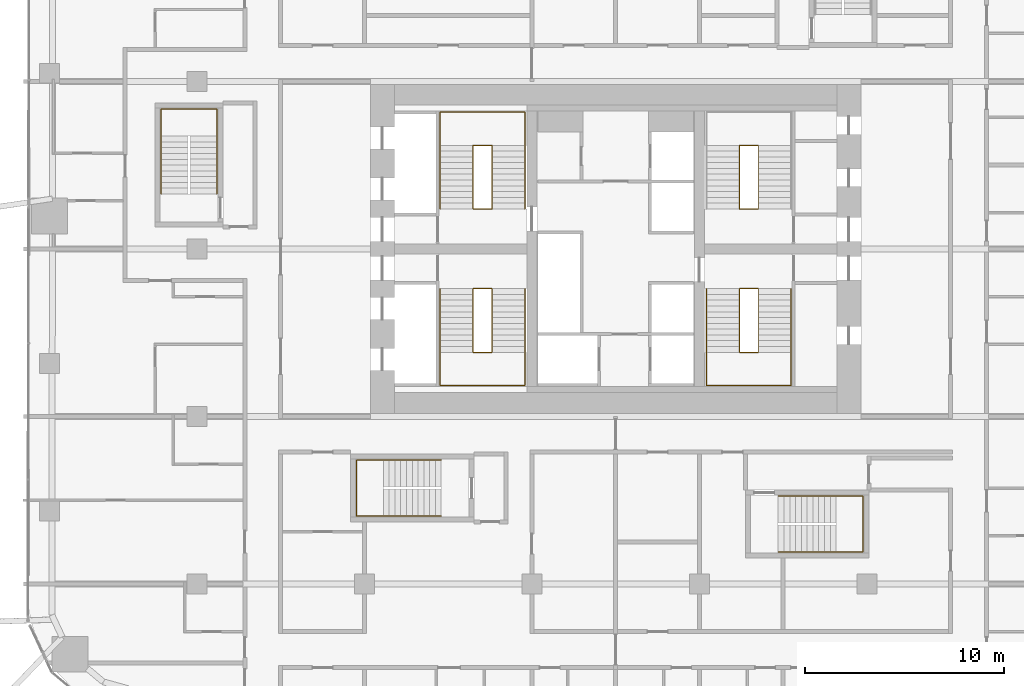
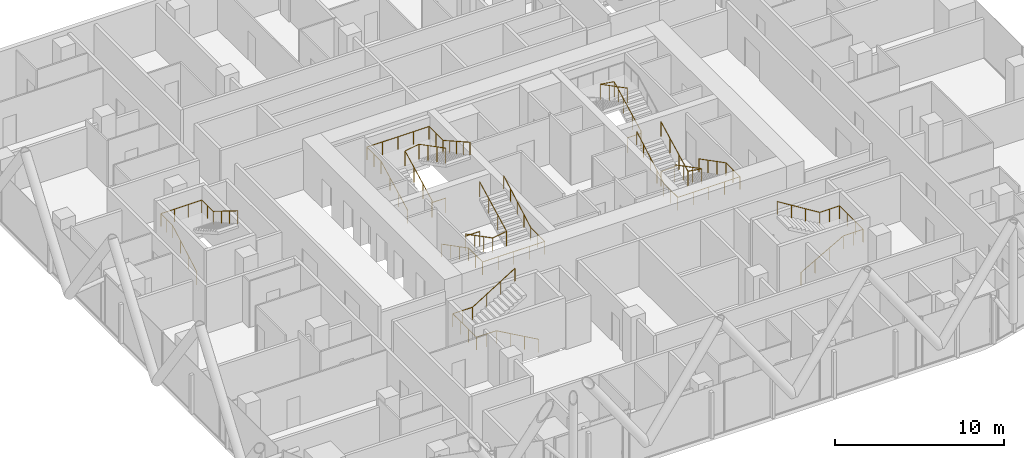
# One storey, part 37 of 38: 10 railings.
"""IFC4 building model written with IfcOpenShell, lengths in metres."""

from ifc_helpers import new_model, si_unit, direction, frame, origin, origin_2d, place, context, subcontext, project, spatial, circle, extrude, material, type_object, element, save


model = new_model("IFC4")

# Units and contexts
model_context = context("Model", 3, precision=1e-05, world=origin(), true_north=direction((0.0, 1.0)))
body_context = subcontext(model_context, "Body", "Model", "MODEL_VIEW")
ifc_project = project(units=[si_unit("LENGTHUNIT", "METRE"), si_unit("AREAUNIT", "SQUARE_METRE"), si_unit("VOLUMEUNIT", "CUBIC_METRE"), si_unit("PLANEANGLEUNIT", "RADIAN"), si_unit("MASSUNIT", "GRAM", prefix="KILO")], contexts=[model_context])

# Site, building, storey
site_placement = place(None, origin())
site = spatial("IfcSite", under=ifc_project, at=site_placement, CompositionType="ELEMENT")
building_placement = place(site_placement, origin())
building = spatial("IfcBuilding", under=site, at=building_placement, Name="Marenta Gate Hotel Tower", CompositionType="ELEMENT")
storey_placement = place(building_placement, frame((0.0, 0.0, 68.89990234375)))
storey = spatial("IfcBuildingStorey", under=building, at=storey_placement, Name="L15", CompositionType="ELEMENT", Elevation=68.89990234375)

# Railings
ifc_material_1 = material(Name="Stainless steel", Category="steel")
railing_type_1 = type_object("IfcRailingType", Name="Core stair handrail 950", PredefinedType="HANDRAIL", material=ifc_material_1)
railing_1_placement = place(storey_placement, frame((-8.800048828125, 6.39990234375, 0.150146484375)))
element("IfcRailing", 1, at=railing_1_placement, inside=storey, type_object=railing_type_1, Name="HR-950 L15-KR-ST1-1", PredefinedType="HANDRAIL", context=body_context, shape_type="SweptSolid", body=[
    extrude(circle(Radius=0.02392578125, at=origin_2d()), frame((0.0, 0.0, 0.92578125), z_axis=(0.0, -0.888225295554, 0.459408123936), x_axis=(1.0, 0.0, 0.0)), (0.0, 0.0, 1.0), 3.59130859375),
    extrude(circle(Radius=0.02392578125, at=origin_2d()), frame((0.0, -3.18994140625, 2.57568359375), z_axis=(0.0, -1.0, 0.0), x_axis=(1.0, 0.0, 0.0)), (0.0, 0.0, 1.0), 1.659912109375),
    extrude(circle(Radius=0.02392578125, at=origin_2d()), frame((0.0, -4.849853515625, 2.57568359375), z_axis=(1.0, 0.0, 0.0), x_axis=(0.0, 1.0, 0.0)), (0.0, 0.0, 1.0), 4.25),
    extrude(circle(Radius=0.02392578125, at=origin_2d()), frame((4.25, -4.849853515625, 2.57568359375), z_axis=(0.0, 1.0, 0.0), x_axis=(-1.0, 0.0, 0.0)), (0.0, 0.0, 1.0), 1.659912109375),
    extrude(circle(Radius=0.02392578125, at=origin_2d()), frame((4.25, -3.18994140625, 2.57568359375), z_axis=(0.0, 0.87090897868, 0.491444351738), x_axis=(-1.0, 0.0, 0.0)), (0.0, 0.0, 1.0), 3.662841796875),
    extrude(circle(Radius=0.02099609375, at=origin_2d()), origin(), (0.0, 0.0, 1.0), 0.90185546875),
    extrude(circle(Radius=0.02099609375, at=origin_2d()), frame((0.0, -1.063232421875, 0.550048828125)), (0.0, 0.0, 1.0), 0.90185546875),
    extrude(circle(Radius=0.02099609375, at=origin_2d()), frame((0.0, -2.126708984375, 1.099853515625)), (0.0, 0.0, 1.0), 0.90185546875),
    extrude(circle(Radius=0.02099609375, at=origin_2d()), frame((0.0, -3.18994140625, 1.64990234375)), (0.0, 0.0, 1.0), 0.90185546875),
    extrude(circle(Radius=0.02099609375, at=origin_2d()), frame((0.0, -4.02001953125, 1.64990234375)), (0.0, 0.0, 1.0), 0.90185546875),
    extrude(circle(Radius=0.02099609375, at=origin_2d()), frame((0.0, -4.849853515625, 1.64990234375)), (0.0, 0.0, 1.0), 0.90185546875),
    extrude(circle(Radius=0.02099609375, at=origin_2d()), frame((1.0625, -4.849853515625, 1.64990234375)), (0.0, 0.0, 1.0), 0.90185546875),
    extrude(circle(Radius=0.02099609375, at=origin_2d()), frame((2.125, -4.849853515625, 1.64990234375)), (0.0, 0.0, 1.0), 0.90185546875),
    extrude(circle(Radius=0.02099609375, at=origin_2d()), frame((3.1875, -4.849853515625, 1.64990234375)), (0.0, 0.0, 1.0), 0.90185546875),
    extrude(circle(Radius=0.02099609375, at=origin_2d()), frame((4.25, -4.849853515625, 1.64990234375)), (0.0, 0.0, 1.0), 0.90185546875),
    extrude(circle(Radius=0.02099609375, at=origin_2d()), frame((4.25, -4.02001953125, 1.64990234375)), (0.0, 0.0, 1.0), 0.90185546875),
    extrude(circle(Radius=0.02099609375, at=origin_2d()), frame((4.25, -3.18994140625, 1.64990234375)), (0.0, 0.0, 1.0), 0.90185546875),
    extrude(circle(Radius=0.02099609375, at=origin_2d()), frame((4.25, -2.392578125, 2.099853515625)), (0.0, 0.0, 1.0), 0.90185546875),
    extrude(circle(Radius=0.02099609375, at=origin_2d()), frame((4.25, -1.594970703125, 2.5498046875)), (0.0, 0.0, 1.0), 0.90185546875),
    extrude(circle(Radius=0.02099609375, at=origin_2d()), frame((4.25, -0.79736328125, 3.0)), (0.0, 0.0, 1.0), 0.90185546875),
    extrude(circle(Radius=0.02099609375, at=origin_2d()), frame((4.25, 0.0, 3.449951171875)), (0.0, 0.0, 1.0), 0.90185546875),
])
railing_2_placement = place(storey_placement, frame((-8.800048828125, 10.39990234375, 0.150146484375)))
element("IfcRailing", 2, at=railing_2_placement, inside=storey, type_object=railing_type_1, Name="HR-950 L15-KR-ST2-1", PredefinedType="HANDRAIL", context=body_context, shape_type="SweptSolid", body=[
    extrude(circle(Radius=0.02392578125, at=origin_2d()), frame((0.0, 0.0, 0.92578125), z_axis=(0.0, 0.888239641807, 0.459380385653), x_axis=(-1.0, 0.0, 0.0)), (0.0, 0.0, 1.0), 3.591552734375),
    extrude(circle(Radius=0.02392578125, at=origin_2d()), frame((0.0, 3.190185546875, 2.57568359375), z_axis=(0.0, 1.0, 0.0), x_axis=(-1.0, 0.0, 0.0)), (0.0, 0.0, 1.0), 1.659912109375),
    extrude(circle(Radius=0.02392578125, at=origin_2d()), frame((0.0, 4.85009765625, 2.57568359375), z_axis=(1.0, 0.0, 0.0), x_axis=(0.0, 1.0, 0.0)), (0.0, 0.0, 1.0), 4.25),
    extrude(circle(Radius=0.02392578125, at=origin_2d()), frame((4.25, 4.85009765625, 2.57568359375), z_axis=(0.0, -1.0, 0.0), x_axis=(1.0, 0.0, 0.0)), (0.0, 0.0, 1.0), 1.659912109375),
    extrude(circle(Radius=0.02392578125, at=origin_2d()), frame((4.25, 3.190185546875, 2.57568359375), z_axis=(0.0, -0.870925075533, 0.491415824742), x_axis=(1.0, 0.0, 0.0)), (0.0, 0.0, 1.0), 3.6630859375),
    extrude(circle(Radius=0.02099609375, at=origin_2d()), origin(), (0.0, 0.0, 1.0), 0.90185546875),
    extrude(circle(Radius=0.02099609375, at=origin_2d()), frame((0.0, 1.0634765625, 0.550048828125)), (0.0, 0.0, 1.0), 0.90185546875),
    extrude(circle(Radius=0.02099609375, at=origin_2d()), frame((0.0, 2.126708984375, 1.099853515625)), (0.0, 0.0, 1.0), 0.90185546875),
    extrude(circle(Radius=0.02099609375, at=origin_2d()), frame((0.0, 3.190185546875, 1.64990234375)), (0.0, 0.0, 1.0), 0.90185546875),
    extrude(circle(Radius=0.02099609375, at=origin_2d()), frame((0.0, 4.02001953125, 1.64990234375)), (0.0, 0.0, 1.0), 0.90185546875),
    extrude(circle(Radius=0.02099609375, at=origin_2d()), frame((0.0, 4.85009765625, 1.64990234375)), (0.0, 0.0, 1.0), 0.90185546875),
    extrude(circle(Radius=0.02099609375, at=origin_2d()), frame((1.0625, 4.85009765625, 1.64990234375)), (0.0, 0.0, 1.0), 0.90185546875),
    extrude(circle(Radius=0.02099609375, at=origin_2d()), frame((2.125, 4.85009765625, 1.64990234375)), (0.0, 0.0, 1.0), 0.90185546875),
    extrude(circle(Radius=0.02099609375, at=origin_2d()), frame((3.1875, 4.85009765625, 1.64990234375)), (0.0, 0.0, 1.0), 0.90185546875),
    extrude(circle(Radius=0.02099609375, at=origin_2d()), frame((4.25, 4.85009765625, 1.64990234375)), (0.0, 0.0, 1.0), 0.90185546875),
    extrude(circle(Radius=0.02099609375, at=origin_2d()), frame((4.25, 4.02001953125, 1.64990234375)), (0.0, 0.0, 1.0), 0.90185546875),
    extrude(circle(Radius=0.02099609375, at=origin_2d()), frame((4.25, 3.190185546875, 1.64990234375)), (0.0, 0.0, 1.0), 0.90185546875),
    extrude(circle(Radius=0.02099609375, at=origin_2d()), frame((4.25, 2.392578125, 2.099853515625)), (0.0, 0.0, 1.0), 0.90185546875),
    extrude(circle(Radius=0.02099609375, at=origin_2d()), frame((4.25, 1.59521484375, 2.5498046875)), (0.0, 0.0, 1.0), 0.90185546875),
    extrude(circle(Radius=0.02099609375, at=origin_2d()), frame((4.25, 0.797607421875, 3.0)), (0.0, 0.0, 1.0), 0.90185546875),
    extrude(circle(Radius=0.02099609375, at=origin_2d()), frame((4.25, 0.0, 3.449951171875)), (0.0, 0.0, 1.0), 0.90185546875),
])
railing_3_placement = place(storey_placement, frame((8.800048828125, 6.39990234375, 0.150146484375)))
element("IfcRailing", 3, at=railing_3_placement, inside=storey, type_object=railing_type_1, Name="HR-950 L15-KR-ST3-1", PredefinedType="HANDRAIL", context=body_context, shape_type="SweptSolid", body=[
    extrude(circle(Radius=0.02392578125, at=origin_2d()), frame((0.0, 0.0, 0.92578125), z_axis=(0.0, -0.888225295554, 0.459408123936), x_axis=(1.0, 0.0, 0.0)), (0.0, 0.0, 1.0), 3.59130859375),
    extrude(circle(Radius=0.02392578125, at=origin_2d()), frame((0.0, -3.18994140625, 2.57568359375), z_axis=(0.0, -1.0, 0.0), x_axis=(1.0, 0.0, 0.0)), (0.0, 0.0, 1.0), 1.659912109375),
    extrude(circle(Radius=0.02392578125, at=origin_2d()), frame((0.0, -4.849853515625, 2.57568359375), z_axis=(-1.0, 0.0, 0.0), x_axis=(0.0, -1.0, 0.0)), (0.0, 0.0, 1.0), 4.25),
    extrude(circle(Radius=0.02392578125, at=origin_2d()), frame((-4.25, -4.849853515625, 2.57568359375), z_axis=(0.0, 1.0, 0.0), x_axis=(-1.0, 0.0, 0.0)), (0.0, 0.0, 1.0), 1.659912109375),
    extrude(circle(Radius=0.02392578125, at=origin_2d()), frame((-4.25, -3.18994140625, 2.57568359375), z_axis=(0.0, 0.87090897868, 0.491444351738), x_axis=(-1.0, 0.0, 0.0)), (0.0, 0.0, 1.0), 3.662841796875),
    extrude(circle(Radius=0.02099609375, at=origin_2d()), origin(), (0.0, 0.0, 1.0), 0.90185546875),
    extrude(circle(Radius=0.02099609375, at=origin_2d()), frame((0.0, -1.063232421875, 0.550048828125)), (0.0, 0.0, 1.0), 0.90185546875),
    extrude(circle(Radius=0.02099609375, at=origin_2d()), frame((0.0, -2.126708984375, 1.099853515625)), (0.0, 0.0, 1.0), 0.90185546875),
    extrude(circle(Radius=0.02099609375, at=origin_2d()), frame((0.0, -3.18994140625, 1.64990234375)), (0.0, 0.0, 1.0), 0.90185546875),
    extrude(circle(Radius=0.02099609375, at=origin_2d()), frame((0.0, -4.02001953125, 1.64990234375)), (0.0, 0.0, 1.0), 0.90185546875),
    extrude(circle(Radius=0.02099609375, at=origin_2d()), frame((0.0, -4.849853515625, 1.64990234375)), (0.0, 0.0, 1.0), 0.90185546875),
    extrude(circle(Radius=0.02099609375, at=origin_2d()), frame((-1.0625, -4.849853515625, 1.64990234375)), (0.0, 0.0, 1.0), 0.90185546875),
    extrude(circle(Radius=0.02099609375, at=origin_2d()), frame((-2.125, -4.849853515625, 1.64990234375)), (0.0, 0.0, 1.0), 0.90185546875),
    extrude(circle(Radius=0.02099609375, at=origin_2d()), frame((-3.1875, -4.849853515625, 1.64990234375)), (0.0, 0.0, 1.0), 0.90185546875),
    extrude(circle(Radius=0.02099609375, at=origin_2d()), frame((-4.25, -4.849853515625, 1.64990234375)), (0.0, 0.0, 1.0), 0.90185546875),
    extrude(circle(Radius=0.02099609375, at=origin_2d()), frame((-4.25, -4.02001953125, 1.64990234375)), (0.0, 0.0, 1.0), 0.90185546875),
    extrude(circle(Radius=0.02099609375, at=origin_2d()), frame((-4.25, -3.18994140625, 1.64990234375)), (0.0, 0.0, 1.0), 0.90185546875),
    extrude(circle(Radius=0.02099609375, at=origin_2d()), frame((-4.25, -2.392578125, 2.099853515625)), (0.0, 0.0, 1.0), 0.90185546875),
    extrude(circle(Radius=0.02099609375, at=origin_2d()), frame((-4.25, -1.594970703125, 2.5498046875)), (0.0, 0.0, 1.0), 0.90185546875),
    extrude(circle(Radius=0.02099609375, at=origin_2d()), frame((-4.25, -0.79736328125, 3.0)), (0.0, 0.0, 1.0), 0.90185546875),
    extrude(circle(Radius=0.02099609375, at=origin_2d()), frame((-4.25, 0.0, 3.449951171875)), (0.0, 0.0, 1.0), 0.90185546875),
])
railing_4_placement = place(storey_placement, frame((8.14990234375, -6.800048828125, 0.163818359375)))
element("IfcRailing", 4, at=railing_4_placement, inside=storey, type_object=railing_type_1, Name="HR-950 L15-RS-Z1-1-KR-1", PredefinedType="HANDRAIL", context=body_context, shape_type="SweptSolid", body=[
    extrude(circle(Radius=0.02392578125, at=origin_2d()), frame((0.0, 0.0, 0.92578125), z_axis=(0.870946286338, 0.0, 0.49137823142), x_axis=(0.0, 1.0, 0.0)), (0.0, 0.0, 1.0), 3.329833984375),
    extrude(circle(Radius=0.02392578125, at=origin_2d()), frame((2.900146484375, 0.0, 2.56201171875), z_axis=(1.0, 0.0, 0.0), x_axis=(0.0, 1.0, 0.0)), (0.0, 0.0, 1.0), 1.349853515625),
    extrude(circle(Radius=0.02392578125, at=origin_2d()), frame((4.25, 0.0, 2.56201171875), z_axis=(0.0, 1.0, 0.0), x_axis=(-1.0, 0.0, 0.0)), (0.0, 0.0, 1.0), 2.800048828125),
    extrude(circle(Radius=0.02392578125, at=origin_2d()), frame((4.25, 2.800048828125, 2.56201171875), z_axis=(-1.0, 0.0, 0.0), x_axis=(0.0, -1.0, 0.0)), (0.0, 0.0, 1.0), 1.349853515625),
    extrude(circle(Radius=0.02392578125, at=origin_2d()), frame((2.900146484375, 2.800048828125, 2.56201171875), z_axis=(-0.849645691689, 0.0, 0.527353959494), x_axis=(0.0, -1.0, 0.0)), (0.0, 0.0, 1.0), 3.413330078125),
    extrude(circle(Radius=0.02099609375, at=origin_2d()), origin(), (0.0, 0.0, 1.0), 0.90185546875),
    extrude(circle(Radius=0.02099609375, at=origin_2d()), frame((0.966796875, 0.0, 0.54541015625)), (0.0, 0.0, 1.0), 0.90185546875),
    extrude(circle(Radius=0.02099609375, at=origin_2d()), frame((1.933349609375, 0.0, 1.0908203125)), (0.0, 0.0, 1.0), 0.90185546875),
    extrude(circle(Radius=0.02099609375, at=origin_2d()), frame((2.900146484375, 0.0, 1.63623046875)), (0.0, 0.0, 1.0), 0.90185546875),
    extrude(circle(Radius=0.02099609375, at=origin_2d()), frame((3.5751953125, 0.0, 1.63623046875)), (0.0, 0.0, 1.0), 0.90185546875),
    extrude(circle(Radius=0.02099609375, at=origin_2d()), frame((4.25, 0.0, 1.63623046875)), (0.0, 0.0, 1.0), 0.90185546875),
    extrude(circle(Radius=0.02099609375, at=origin_2d()), frame((4.25, 0.933349609375, 1.63623046875)), (0.0, 0.0, 1.0), 0.90185546875),
    extrude(circle(Radius=0.02099609375, at=origin_2d()), frame((4.25, 1.86669921875, 1.63623046875)), (0.0, 0.0, 1.0), 0.90185546875),
    extrude(circle(Radius=0.02099609375, at=origin_2d()), frame((4.25, 2.800048828125, 1.63623046875)), (0.0, 0.0, 1.0), 0.90185546875),
    extrude(circle(Radius=0.02099609375, at=origin_2d()), frame((3.5751953125, 2.800048828125, 1.63623046875)), (0.0, 0.0, 1.0), 0.90185546875),
    extrude(circle(Radius=0.02099609375, at=origin_2d()), frame((2.900146484375, 2.800048828125, 1.63623046875)), (0.0, 0.0, 1.0), 0.90185546875),
    extrude(circle(Radius=0.02099609375, at=origin_2d()), frame((1.933349609375, 2.800048828125, 2.236328125)), (0.0, 0.0, 1.0), 0.90185546875),
    extrude(circle(Radius=0.02099609375, at=origin_2d()), frame((0.966796875, 2.800048828125, 2.836181640625)), (0.0, 0.0, 1.0), 0.90185546875),
    extrude(circle(Radius=0.02099609375, at=origin_2d()), frame((0.0, 2.800048828125, 3.436279296875)), (0.0, 0.0, 1.0), 0.90185546875),
])
railing_5_placement = place(storey_placement, frame((-8.75, -5.0, 0.163818359375)))
element("IfcRailing", 5, at=railing_5_placement, inside=storey, type_object=railing_type_1, Name="HR-950 L15-RS-Z1-2-KR-1", PredefinedType="HANDRAIL", context=body_context, shape_type="SweptSolid", body=[
    extrude(circle(Radius=0.02392578125, at=origin_2d()), frame((0.0, 0.0, 0.92578125), z_axis=(-0.870928581787, 0.0, 0.491409610636), x_axis=(0.0, -1.0, 0.0)), (0.0, 0.0, 1.0), 3.32958984375),
    extrude(circle(Radius=0.02392578125, at=origin_2d()), frame((-2.89990234375, 0.0, 2.56201171875), z_axis=(-1.0, 0.0, 0.0), x_axis=(0.0, -1.0, 0.0)), (0.0, 0.0, 1.0), 1.35009765625),
    extrude(circle(Radius=0.02392578125, at=origin_2d()), frame((-4.25, 0.0, 2.56201171875), z_axis=(0.0, 1.0, 0.0), x_axis=(-1.0, 0.0, 0.0)), (0.0, 0.0, 1.0), 2.800048828125),
    extrude(circle(Radius=0.02392578125, at=origin_2d()), frame((-4.25, 2.800048828125, 2.56201171875), z_axis=(1.0, 0.0, 0.0), x_axis=(0.0, 1.0, 0.0)), (0.0, 0.0, 1.0), 1.35009765625),
    extrude(circle(Radius=0.02392578125, at=origin_2d()), frame((-2.89990234375, 2.800048828125, 2.56201171875), z_axis=(0.849625798611, 0.0, 0.527386008853), x_axis=(0.0, 1.0, 0.0)), (0.0, 0.0, 1.0), 3.4130859375),
    extrude(circle(Radius=0.02099609375, at=origin_2d()), origin(), (0.0, 0.0, 1.0), 0.90185546875),
    extrude(circle(Radius=0.02099609375, at=origin_2d()), frame((-0.966552734375, 0.0, 0.54541015625)), (0.0, 0.0, 1.0), 0.90185546875),
    extrude(circle(Radius=0.02099609375, at=origin_2d()), frame((-1.933349609375, 0.0, 1.0908203125)), (0.0, 0.0, 1.0), 0.90185546875),
    extrude(circle(Radius=0.02099609375, at=origin_2d()), frame((-2.89990234375, 0.0, 1.63623046875)), (0.0, 0.0, 1.0), 0.90185546875),
    extrude(circle(Radius=0.02099609375, at=origin_2d()), frame((-3.574951171875, 0.0, 1.63623046875)), (0.0, 0.0, 1.0), 0.90185546875),
    extrude(circle(Radius=0.02099609375, at=origin_2d()), frame((-4.25, 0.0, 1.63623046875)), (0.0, 0.0, 1.0), 0.90185546875),
    extrude(circle(Radius=0.02099609375, at=origin_2d()), frame((-4.25, 0.933349609375, 1.63623046875)), (0.0, 0.0, 1.0), 0.90185546875),
    extrude(circle(Radius=0.02099609375, at=origin_2d()), frame((-4.25, 1.86669921875, 1.63623046875)), (0.0, 0.0, 1.0), 0.90185546875),
    extrude(circle(Radius=0.02099609375, at=origin_2d()), frame((-4.25, 2.800048828125, 1.63623046875)), (0.0, 0.0, 1.0), 0.90185546875),
    extrude(circle(Radius=0.02099609375, at=origin_2d()), frame((-3.574951171875, 2.800048828125, 1.63623046875)), (0.0, 0.0, 1.0), 0.90185546875),
    extrude(circle(Radius=0.02099609375, at=origin_2d()), frame((-2.89990234375, 2.800048828125, 1.63623046875)), (0.0, 0.0, 1.0), 0.90185546875),
    extrude(circle(Radius=0.02099609375, at=origin_2d()), frame((-1.933349609375, 2.800048828125, 2.236328125)), (0.0, 0.0, 1.0), 0.90185546875),
    extrude(circle(Radius=0.02099609375, at=origin_2d()), frame((-0.966552734375, 2.800048828125, 2.836181640625)), (0.0, 0.0, 1.0), 0.90185546875),
    extrude(circle(Radius=0.02099609375, at=origin_2d()), frame((0.0, 2.800048828125, 3.436279296875)), (0.0, 0.0, 1.0), 0.90185546875),
])
railing_6_placement = place(storey_placement, frame((-22.800048828125, 11.14990234375, 0.163818359375)))
element("IfcRailing", 6, at=railing_6_placement, inside=storey, type_object=railing_type_1, Name="HR-950 L15-RS-Z1-3-KR-1", PredefinedType="HANDRAIL", context=body_context, shape_type="SweptSolid", body=[
    extrude(circle(Radius=0.02392578125, at=origin_2d()), frame((0.0, 0.0, 0.92578125), z_axis=(0.0, 0.870946286338, 0.49137823142), x_axis=(-1.0, 0.0, 0.0)), (0.0, 0.0, 1.0), 3.329833984375),
    extrude(circle(Radius=0.02392578125, at=origin_2d()), frame((0.0, 2.900146484375, 2.56201171875), z_axis=(0.0, 1.0, 0.0), x_axis=(-1.0, 0.0, 0.0)), (0.0, 0.0, 1.0), 1.349853515625),
    extrude(circle(Radius=0.02392578125, at=origin_2d()), frame((0.0, 4.25, 2.56201171875), z_axis=(1.0, 0.0, 0.0), x_axis=(0.0, 1.0, 0.0)), (0.0, 0.0, 1.0), 2.800048828125),
    extrude(circle(Radius=0.02392578125, at=origin_2d()), frame((2.800048828125, 4.25, 2.56201171875), z_axis=(0.0, -1.0, 0.0), x_axis=(1.0, 0.0, 0.0)), (0.0, 0.0, 1.0), 1.349853515625),
    extrude(circle(Radius=0.02392578125, at=origin_2d()), frame((2.800048828125, 2.900146484375, 2.56201171875), z_axis=(0.0, -0.849645691689, 0.527353959494), x_axis=(1.0, 0.0, 0.0)), (0.0, 0.0, 1.0), 3.413330078125),
    extrude(circle(Radius=0.02099609375, at=origin_2d()), origin(), (0.0, 0.0, 1.0), 0.90185546875),
    extrude(circle(Radius=0.02099609375, at=origin_2d()), frame((0.0, 0.966796875, 0.54541015625)), (0.0, 0.0, 1.0), 0.90185546875),
    extrude(circle(Radius=0.02099609375, at=origin_2d()), frame((0.0, 1.933349609375, 1.0908203125)), (0.0, 0.0, 1.0), 0.90185546875),
    extrude(circle(Radius=0.02099609375, at=origin_2d()), frame((0.0, 2.900146484375, 1.63623046875)), (0.0, 0.0, 1.0), 0.90185546875),
    extrude(circle(Radius=0.02099609375, at=origin_2d()), frame((0.0, 3.5751953125, 1.63623046875)), (0.0, 0.0, 1.0), 0.90185546875),
    extrude(circle(Radius=0.02099609375, at=origin_2d()), frame((0.0, 4.25, 1.63623046875)), (0.0, 0.0, 1.0), 0.90185546875),
    extrude(circle(Radius=0.02099609375, at=origin_2d()), frame((0.933349609375, 4.25, 1.63623046875)), (0.0, 0.0, 1.0), 0.90185546875),
    extrude(circle(Radius=0.02099609375, at=origin_2d()), frame((1.86669921875, 4.25, 1.63623046875)), (0.0, 0.0, 1.0), 0.90185546875),
    extrude(circle(Radius=0.02099609375, at=origin_2d()), frame((2.800048828125, 4.25, 1.63623046875)), (0.0, 0.0, 1.0), 0.90185546875),
    extrude(circle(Radius=0.02099609375, at=origin_2d()), frame((2.800048828125, 3.5751953125, 1.63623046875)), (0.0, 0.0, 1.0), 0.90185546875),
    extrude(circle(Radius=0.02099609375, at=origin_2d()), frame((2.800048828125, 2.900146484375, 1.63623046875)), (0.0, 0.0, 1.0), 0.90185546875),
    extrude(circle(Radius=0.02099609375, at=origin_2d()), frame((2.800048828125, 1.933349609375, 2.236328125)), (0.0, 0.0, 1.0), 0.90185546875),
    extrude(circle(Radius=0.02099609375, at=origin_2d()), frame((2.800048828125, 0.966796875, 2.836181640625)), (0.0, 0.0, 1.0), 0.90185546875),
    extrude(circle(Radius=0.02099609375, at=origin_2d()), frame((2.800048828125, 0.0, 3.436279296875)), (0.0, 0.0, 1.0), 0.90185546875),
])
ifc_material_2 = material(Name="Stainless steel", Category="steel")
railing_type_2 = type_object("IfcRailingType", Name="Core stair well guard 1100", PredefinedType="GUARDRAIL", material=ifc_material_2)
railing_7_placement = place(storey_placement, frame((-6.199951171875, 6.39990234375, 0.0)))
element("IfcRailing", 7, at=railing_7_placement, inside=storey, type_object=railing_type_2, Name="GR-1100 L15-KR-ST1-2", PredefinedType="GUARDRAIL", context=body_context, shape_type="SweptSolid", body=[
    extrude(circle(Radius=0.02392578125, at=origin_2d()), frame((0.0, 0.0, 1.076171875), z_axis=(-1.0, 0.0, 0.0), x_axis=(0.0, -1.0, 0.0)), (0.0, 0.0, 1.0), 0.949951171875),
    extrude(circle(Radius=0.02392578125, at=origin_2d()), frame((-0.949951171875, 0.0, 1.076171875), z_axis=(0.0, 0.0, 1.0), x_axis=(1.0, 0.0, 0.0)), (0.0, 0.0, 1.0), 0.150146484375),
    extrude(circle(Radius=0.02392578125, at=origin_2d()), frame((-0.949951171875, 0.0, 1.22607421875), z_axis=(0.0, -0.888225295554, 0.459408123936), x_axis=(1.0, 0.0, 0.0)), (0.0, 0.0, 1.0), 3.59130859375),
    extrude(circle(Radius=0.02392578125, at=origin_2d()), frame((-0.949951171875, -3.18994140625, 2.8759765625), z_axis=(0.987738253826, 0.0, 0.156118999255), x_axis=(0.0, 1.0, 0.0)), (0.0, 0.0, 1.0), 0.961669921875),
    extrude(circle(Radius=0.02392578125, at=origin_2d()), frame((0.0, -3.18994140625, 3.0263671875), z_axis=(0.0, 0.888225295554, 0.459408123936), x_axis=(-1.0, 0.0, 0.0)), (0.0, 0.0, 1.0), 3.59130859375),
    extrude(circle(Radius=0.02099609375, at=origin_2d()), origin(), (0.0, 0.0, 1.0), 1.052001953125),
    extrude(circle(Radius=0.02099609375, at=origin_2d()), frame((-0.949951171875, 0.0, 0.0)), (0.0, 0.0, 1.0), 1.052001953125),
    extrude(circle(Radius=0.02099609375, at=origin_2d()), frame((-0.949951171875, 0.0, 0.150146484375)), (0.0, 0.0, 1.0), 1.052001953125),
    extrude(circle(Radius=0.02099609375, at=origin_2d()), frame((-0.949951171875, -1.063232421875, 0.7001953125)), (0.0, 0.0, 1.0), 1.052001953125),
    extrude(circle(Radius=0.02099609375, at=origin_2d()), frame((-0.949951171875, -2.126708984375, 1.25)), (0.0, 0.0, 1.0), 1.052001953125),
    extrude(circle(Radius=0.02099609375, at=origin_2d()), frame((-0.949951171875, -3.18994140625, 1.800048828125)), (0.0, 0.0, 1.0), 1.052001953125),
    extrude(circle(Radius=0.02099609375, at=origin_2d()), frame((0.0, -3.18994140625, 1.9501953125)), (0.0, 0.0, 1.0), 1.052001953125),
    extrude(circle(Radius=0.02099609375, at=origin_2d()), frame((0.0, -2.126708984375, 2.500244140625)), (0.0, 0.0, 1.0), 1.052001953125),
    extrude(circle(Radius=0.02099609375, at=origin_2d()), frame((0.0, -1.063232421875, 3.050048828125)), (0.0, 0.0, 1.0), 1.052001953125),
    extrude(circle(Radius=0.02099609375, at=origin_2d()), frame((0.0, 0.0, 3.60009765625)), (0.0, 0.0, 1.0), 1.052001953125),
])
railing_8_placement = place(storey_placement, frame((-6.199951171875, 10.39990234375, 0.0)))
element("IfcRailing", 8, at=railing_8_placement, inside=storey, type_object=railing_type_2, Name="GR-1100 L15-KR-ST2-2", PredefinedType="GUARDRAIL", context=body_context, shape_type="SweptSolid", body=[
    extrude(circle(Radius=0.02392578125, at=origin_2d()), frame((0.0, 0.0, 1.076171875), z_axis=(-1.0, 0.0, 0.0), x_axis=(0.0, -1.0, 0.0)), (0.0, 0.0, 1.0), 0.949951171875),
    extrude(circle(Radius=0.02392578125, at=origin_2d()), frame((-0.949951171875, 0.0, 1.076171875), z_axis=(0.0, 0.0, 1.0), x_axis=(1.0, 0.0, 0.0)), (0.0, 0.0, 1.0), 0.150146484375),
    extrude(circle(Radius=0.02392578125, at=origin_2d()), frame((-0.949951171875, 0.0, 1.22607421875), z_axis=(0.0, 0.888239641807, 0.459380385653), x_axis=(-1.0, 0.0, 0.0)), (0.0, 0.0, 1.0), 3.591552734375),
    extrude(circle(Radius=0.02392578125, at=origin_2d()), frame((-0.949951171875, 3.190185546875, 2.8759765625), z_axis=(0.987738253826, 0.0, 0.156118999255), x_axis=(0.0, 1.0, 0.0)), (0.0, 0.0, 1.0), 0.961669921875),
    extrude(circle(Radius=0.02392578125, at=origin_2d()), frame((0.0, 3.190185546875, 3.0263671875), z_axis=(0.0, -0.888239641807, 0.459380385653), x_axis=(1.0, 0.0, 0.0)), (0.0, 0.0, 1.0), 3.591552734375),
    extrude(circle(Radius=0.02099609375, at=origin_2d()), origin(), (0.0, 0.0, 1.0), 1.052001953125),
    extrude(circle(Radius=0.02099609375, at=origin_2d()), frame((-0.949951171875, 0.0, 0.0)), (0.0, 0.0, 1.0), 1.052001953125),
    extrude(circle(Radius=0.02099609375, at=origin_2d()), frame((-0.949951171875, 0.0, 0.150146484375)), (0.0, 0.0, 1.0), 1.052001953125),
    extrude(circle(Radius=0.02099609375, at=origin_2d()), frame((-0.949951171875, 1.0634765625, 0.7001953125)), (0.0, 0.0, 1.0), 1.052001953125),
    extrude(circle(Radius=0.02099609375, at=origin_2d()), frame((-0.949951171875, 2.126708984375, 1.25)), (0.0, 0.0, 1.0), 1.052001953125),
    extrude(circle(Radius=0.02099609375, at=origin_2d()), frame((-0.949951171875, 3.190185546875, 1.800048828125)), (0.0, 0.0, 1.0), 1.052001953125),
    extrude(circle(Radius=0.02099609375, at=origin_2d()), frame((0.0, 3.190185546875, 1.9501953125)), (0.0, 0.0, 1.0), 1.052001953125),
    extrude(circle(Radius=0.02099609375, at=origin_2d()), frame((0.0, 2.126708984375, 2.500244140625)), (0.0, 0.0, 1.0), 1.052001953125),
    extrude(circle(Radius=0.02099609375, at=origin_2d()), frame((0.0, 1.0634765625, 3.050048828125)), (0.0, 0.0, 1.0), 1.052001953125),
    extrude(circle(Radius=0.02099609375, at=origin_2d()), frame((0.0, 0.0, 3.60009765625)), (0.0, 0.0, 1.0), 1.052001953125),
])
railing_9_placement = place(storey_placement, frame((6.199951171875, 6.39990234375, 0.0)))
element("IfcRailing", 9, at=railing_9_placement, inside=storey, type_object=railing_type_2, Name="GR-1100 L15-KR-ST3-2", PredefinedType="GUARDRAIL", context=body_context, shape_type="SweptSolid", body=[
    extrude(circle(Radius=0.02392578125, at=origin_2d()), frame((0.0, 0.0, 1.076171875), z_axis=(1.0, 0.0, 0.0), x_axis=(0.0, 1.0, 0.0)), (0.0, 0.0, 1.0), 0.949951171875),
    extrude(circle(Radius=0.02392578125, at=origin_2d()), frame((0.949951171875, 0.0, 1.076171875), z_axis=(0.0, 0.0, 1.0), x_axis=(1.0, 0.0, 0.0)), (0.0, 0.0, 1.0), 0.150146484375),
    extrude(circle(Radius=0.02392578125, at=origin_2d()), frame((0.949951171875, 0.0, 1.22607421875), z_axis=(0.0, -0.888225295554, 0.459408123936), x_axis=(1.0, 0.0, 0.0)), (0.0, 0.0, 1.0), 3.59130859375),
    extrude(circle(Radius=0.02392578125, at=origin_2d()), frame((0.949951171875, -3.18994140625, 2.8759765625), z_axis=(-0.987738253826, 0.0, 0.156118999255), x_axis=(0.0, -1.0, 0.0)), (0.0, 0.0, 1.0), 0.961669921875),
    extrude(circle(Radius=0.02392578125, at=origin_2d()), frame((0.0, -3.18994140625, 3.0263671875), z_axis=(0.0, 0.888225295554, 0.459408123936), x_axis=(-1.0, 0.0, 0.0)), (0.0, 0.0, 1.0), 3.59130859375),
    extrude(circle(Radius=0.02099609375, at=origin_2d()), origin(), (0.0, 0.0, 1.0), 1.052001953125),
    extrude(circle(Radius=0.02099609375, at=origin_2d()), frame((0.949951171875, 0.0, 0.0)), (0.0, 0.0, 1.0), 1.052001953125),
    extrude(circle(Radius=0.02099609375, at=origin_2d()), frame((0.949951171875, 0.0, 0.150146484375)), (0.0, 0.0, 1.0), 1.052001953125),
    extrude(circle(Radius=0.02099609375, at=origin_2d()), frame((0.949951171875, -1.063232421875, 0.7001953125)), (0.0, 0.0, 1.0), 1.052001953125),
    extrude(circle(Radius=0.02099609375, at=origin_2d()), frame((0.949951171875, -2.126708984375, 1.25)), (0.0, 0.0, 1.0), 1.052001953125),
    extrude(circle(Radius=0.02099609375, at=origin_2d()), frame((0.949951171875, -3.18994140625, 1.800048828125)), (0.0, 0.0, 1.0), 1.052001953125),
    extrude(circle(Radius=0.02099609375, at=origin_2d()), frame((0.0, -3.18994140625, 1.9501953125)), (0.0, 0.0, 1.0), 1.052001953125),
    extrude(circle(Radius=0.02099609375, at=origin_2d()), frame((0.0, -2.126708984375, 2.500244140625)), (0.0, 0.0, 1.0), 1.052001953125),
    extrude(circle(Radius=0.02099609375, at=origin_2d()), frame((0.0, -1.063232421875, 3.050048828125)), (0.0, 0.0, 1.0), 1.052001953125),
    extrude(circle(Radius=0.02099609375, at=origin_2d()), frame((0.0, 0.0, 3.60009765625)), (0.0, 0.0, 1.0), 1.052001953125),
])
railing_10_placement = place(storey_placement, frame((6.199951171875, 10.39990234375, 0.0)))
element("IfcRailing", 10, at=railing_10_placement, inside=storey, type_object=railing_type_2, Name="GR-1100 L15-KR-ST4-2", PredefinedType="GUARDRAIL", context=body_context, shape_type="SweptSolid", body=[
    extrude(circle(Radius=0.02392578125, at=origin_2d()), frame((0.0, 0.0, 1.076171875), z_axis=(1.0, 0.0, 0.0), x_axis=(0.0, 1.0, 0.0)), (0.0, 0.0, 1.0), 0.949951171875),
    extrude(circle(Radius=0.02392578125, at=origin_2d()), frame((0.949951171875, 0.0, 1.076171875), z_axis=(0.0, 0.0, 1.0), x_axis=(1.0, 0.0, 0.0)), (0.0, 0.0, 1.0), 0.150146484375),
    extrude(circle(Radius=0.02392578125, at=origin_2d()), frame((0.949951171875, 0.0, 1.22607421875), z_axis=(0.0, 0.888239641807, 0.459380385653), x_axis=(-1.0, 0.0, 0.0)), (0.0, 0.0, 1.0), 3.591552734375),
    extrude(circle(Radius=0.02392578125, at=origin_2d()), frame((0.949951171875, 3.190185546875, 2.8759765625), z_axis=(-0.987738253826, 0.0, 0.156118999255), x_axis=(0.0, -1.0, 0.0)), (0.0, 0.0, 1.0), 0.961669921875),
    extrude(circle(Radius=0.02392578125, at=origin_2d()), frame((0.0, 3.190185546875, 3.0263671875), z_axis=(0.0, -0.888239641807, 0.459380385653), x_axis=(1.0, 0.0, 0.0)), (0.0, 0.0, 1.0), 3.591552734375),
    extrude(circle(Radius=0.02099609375, at=origin_2d()), origin(), (0.0, 0.0, 1.0), 1.052001953125),
    extrude(circle(Radius=0.02099609375, at=origin_2d()), frame((0.949951171875, 0.0, 0.0)), (0.0, 0.0, 1.0), 1.052001953125),
    extrude(circle(Radius=0.02099609375, at=origin_2d()), frame((0.949951171875, 0.0, 0.150146484375)), (0.0, 0.0, 1.0), 1.052001953125),
    extrude(circle(Radius=0.02099609375, at=origin_2d()), frame((0.949951171875, 1.0634765625, 0.7001953125)), (0.0, 0.0, 1.0), 1.052001953125),
    extrude(circle(Radius=0.02099609375, at=origin_2d()), frame((0.949951171875, 2.126708984375, 1.25)), (0.0, 0.0, 1.0), 1.052001953125),
    extrude(circle(Radius=0.02099609375, at=origin_2d()), frame((0.949951171875, 3.190185546875, 1.800048828125)), (0.0, 0.0, 1.0), 1.052001953125),
    extrude(circle(Radius=0.02099609375, at=origin_2d()), frame((0.0, 3.190185546875, 1.9501953125)), (0.0, 0.0, 1.0), 1.052001953125),
    extrude(circle(Radius=0.02099609375, at=origin_2d()), frame((0.0, 2.126708984375, 2.500244140625)), (0.0, 0.0, 1.0), 1.052001953125),
    extrude(circle(Radius=0.02099609375, at=origin_2d()), frame((0.0, 1.0634765625, 3.050048828125)), (0.0, 0.0, 1.0), 1.052001953125),
    extrude(circle(Radius=0.02099609375, at=origin_2d()), frame((0.0, 0.0, 3.60009765625)), (0.0, 0.0, 1.0), 1.052001953125),
])

save(model, "model.ifc")
